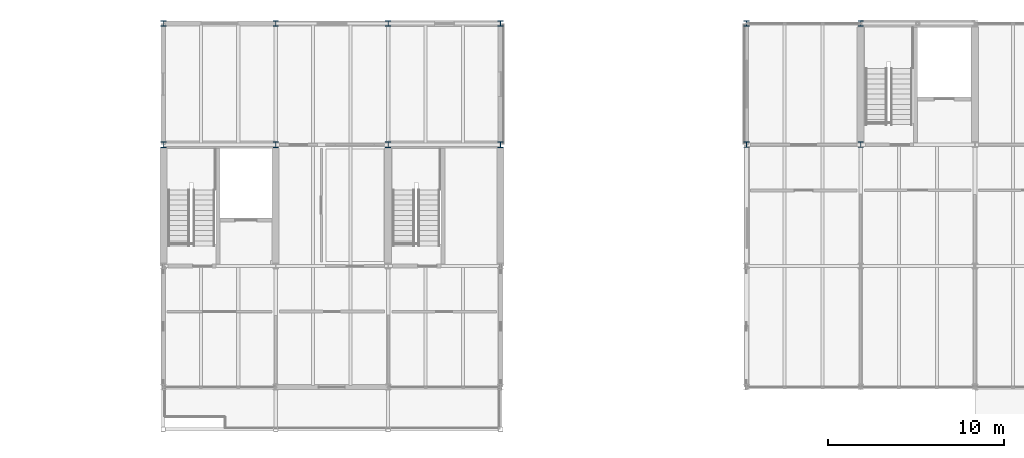
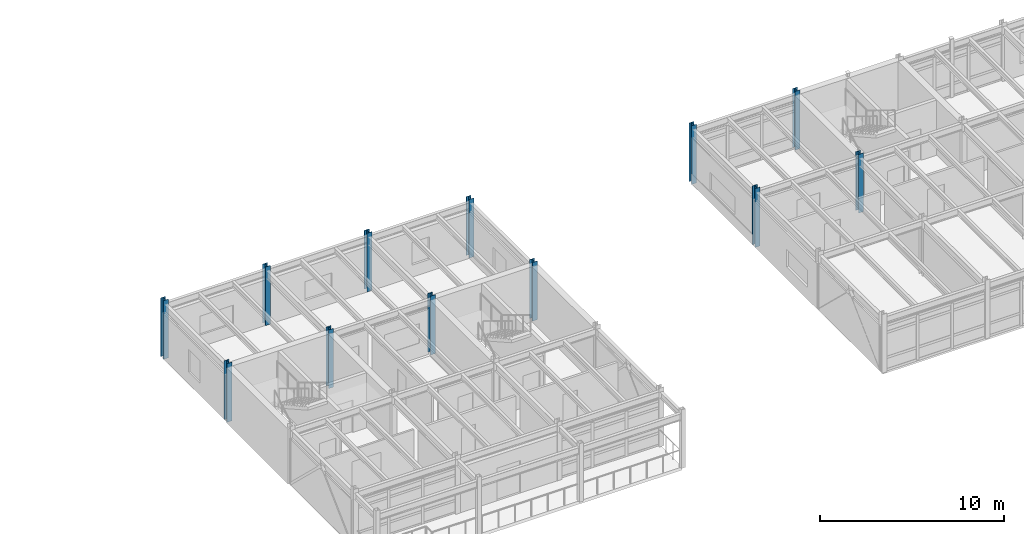
# One storey, part 8 of 49: 12 columns.
"""IFC4 building model written with IfcOpenShell, lengths in metres."""

from ifc_helpers import new_model, si_unit, direction, frame, origin, origin_2d, place, context, subcontext, project, spatial, i_section, extrude, material, material_profile, profile_set, type_object, element, save


model = new_model("IFC4")

# Units and contexts
model_context = context("Model", 3, precision=1e-05, world=origin(), true_north=direction((0.0, 1.0)))
body_context = subcontext(model_context, "Body", "Model", "MODEL_VIEW")
ifc_project = project(units=[si_unit("LENGTHUNIT", "METRE"), si_unit("AREAUNIT", "SQUARE_METRE"), si_unit("VOLUMEUNIT", "CUBIC_METRE"), si_unit("PLANEANGLEUNIT", "RADIAN"), si_unit("MASSUNIT", "GRAM", prefix="KILO")], contexts=[model_context])

# Site, building, storey
site_placement = place(None, origin())
site = spatial("IfcSite", under=ifc_project, at=site_placement, CompositionType="ELEMENT")
building_placement = place(site_placement, origin())
building = spatial("IfcBuilding", under=site, at=building_placement, Name="Trelmorton Wharf Fire Station", CompositionType="ELEMENT")
storey_placement = place(building_placement, frame((0.0, 0.0, 9.60009765625)))
storey = spatial("IfcBuildingStorey", under=building, at=storey_placement, Name="L02", CompositionType="ELEMENT", Elevation=9.60009765625)

# Columns
ifc_material = material(Name="Steel Grade 350", Category="steel")
ifc_material_profile_1 = material_profile(ifc_material, i_section(OverallWidth=0.306884765625, OverallDepth=0.31494140625, WebThickness=0.011962890625, FlangeThickness=0.018798828125, FilletRadius=0.0166015625, at=origin_2d()), Name="310UC118")
ifc_profile_set_1 = profile_set([ifc_material_profile_1], Name="Steel Grade 350")
column_type_1 = type_object("IfcColumnType", Name="COL_310UC118", PredefinedType="COLUMN", material=ifc_profile_set_1)
for number, where, z_axis, x_axis, name in (
    (1, (104.0, 74.10009765625, 0.0), (0.0, 0.0, 1.0), (1.0, 0.0, 0.0), "COL-L02-0510"),
    (2, (104.0, 81.0, 0.0), (0.0, 0.0, 1.0), (1.0, 0.0, 0.0), "COL-L02-0511"),
    (3, (110.5, 74.10009765625, 0.0), (0.0, 0.0, 1.0), (1.0, 0.0, 0.0), "COL-L02-0518"),
    (4, (110.5, 81.0, 0.0), (0.0, 0.0, 1.0), (1.0, 0.0, 0.0), "COL-L02-0519"),
):
    element("IfcColumn", number, at=place(storey_placement, frame(where, z_axis=z_axis, x_axis=x_axis)), inside=storey, type_object=column_type_1, Name=name, PredefinedType="COLUMN", context=body_context, shape_type="SweptSolid", body=[
        extrude(i_section(OverallWidth=0.306884765625, OverallDepth=0.31494140625, WebThickness=0.011962890625, FlangeThickness=0.018798828125, FilletRadius=0.0166015625, at=origin_2d()), origin(), (0.0, 0.0, 1.0), 3.89990234375),
    ])
ifc_material_profile_2 = material_profile(ifc_material, i_section(OverallWidth=0.30908203125, OverallDepth=0.321044921875, WebThickness=0.013916015625, FlangeThickness=0.021728515625, FilletRadius=0.0166015625, at=origin_2d()), Name="310UC137")
ifc_profile_set_2 = profile_set([ifc_material_profile_2], Name="Steel Grade 350")
column_type_2 = type_object("IfcColumnType", Name="COL_310UC137", PredefinedType="COLUMN", material=ifc_profile_set_2)
for number, where, z_axis, x_axis, name in (
    (5, (70.800048828125, 74.10009765625, 0.0), (0.0, 0.0, 1.0), (1.0, 0.0, 0.0), "COL-L02-0480"),
    (6, (70.800048828125, 81.0, 0.0), (0.0, 0.0, 1.0), (1.0, 0.0, 0.0), "COL-L02-0481"),
    (7, (77.199951171875, 74.10009765625, 0.0), (0.0, 0.0, 1.0), (1.0, 0.0, 0.0), "COL-L02-0488"),
    (8, (77.199951171875, 81.0, 0.0), (0.0, 0.0, 1.0), (1.0, 0.0, 0.0), "COL-L02-0489"),
    (9, (83.60009765625, 74.10009765625, 0.0), (0.0, 0.0, 1.0), (1.0, 0.0, 0.0), "COL-L02-0497"),
    (10, (83.60009765625, 81.0, 0.0), (0.0, 0.0, 1.0), (1.0, 0.0, 0.0), "COL-L02-0498"),
    (11, (90.0, 74.10009765625, 0.0), (0.0, 0.0, 1.0), (1.0, 0.0, 0.0), "COL-L02-0502"),
    (12, (90.0, 81.0, 0.0), (0.0, 0.0, 1.0), (1.0, 0.0, 0.0), "COL-L02-0503"),
):
    element("IfcColumn", number, at=place(storey_placement, frame(where, z_axis=z_axis, x_axis=x_axis)), inside=storey, type_object=column_type_2, Name=name, PredefinedType="COLUMN", context=body_context, shape_type="SweptSolid", body=[
        extrude(i_section(OverallWidth=0.30908203125, OverallDepth=0.321044921875, WebThickness=0.013916015625, FlangeThickness=0.021728515625, FilletRadius=0.0166015625, at=origin_2d()), origin(), (0.0, 0.0, 1.0), 3.89990234375),
    ])

save(model, "model.ifc")
